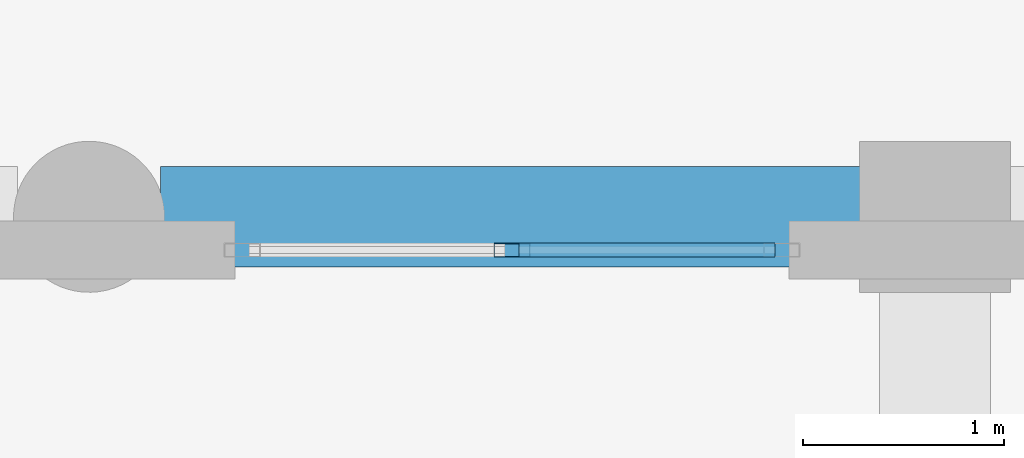
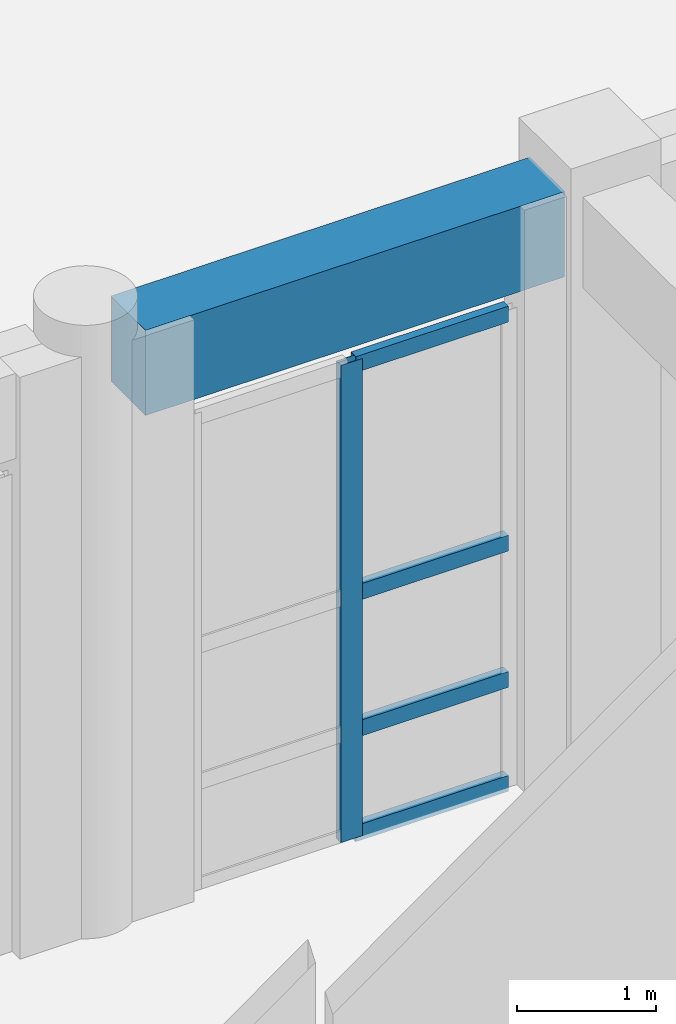
# One storey, part 17 of 148: 5 members, 1 beam, 1 element without a shape of its own.
"""IFC4 building model written with IfcOpenShell, lengths in metres."""

import ifcopenshell
import ifcopenshell.guid

model = None  # the IFC model being written
_history = None  # IfcOwnerHistory: only IFC2X3 demands one
_inside = {}  # id of a spatial element -> (the spatial element, [elements in it])
_under = {}  # id of a project, library or spatial element -> (it, [spatial elements below it])
_declared = {}  # id of a project -> (the project, [libraries it declares])
_typed = {}  # id of a type object -> (the type object, [elements of that type])
_made_of = {}  # id of a material, layer set ... -> (it, [elements and type objects made of it])


def new_model(schema):
    """Start an empty IFC model of exactly this schema.

    Asked for "IFC4X3", IfcOpenShell would pick the latest addendum, in which some entities
    have other attributes; the version numbers below select the first issue.
    IFC2X3 requires an IfcOwnerHistory on every rooted entity: one is made here for all.
    """
    global model, _history
    if schema == "IFC4X3":
        model = ifcopenshell.file(schema_version=(4, 3, 0, 0))
    else:
        model = ifcopenshell.file(schema=schema)
    _inside.clear()
    _under.clear()
    _declared.clear()
    _typed.clear()
    _made_of.clear()
    _history = None
    if model.schema == "IFC2X3":
        org = make("IfcOrganization", Name="unknown")
        user = make(
            "IfcPersonAndOrganization",
            ThePerson=make("IfcPerson", FamilyName="unknown"),
            TheOrganization=org,
        )
        app = make(
            "IfcApplication",
            ApplicationDeveloper=org,
            Version="unknown",
            ApplicationFullName="unknown",
            ApplicationIdentifier="unknown",
        )
        _history = make(
            "IfcOwnerHistory",
            OwningUser=user,
            OwningApplication=app,
            ChangeAction="ADDED",
            CreationDate=0,
        )
    return model


def make(cls, **values):
    """One entity of the class cls with the attributes given. An attribute that is None is left unset."""
    return model.create_entity(
        cls, **{name: value for name, value in values.items() if value is not None}
    )


def rooted(cls, **values):
    """An entity with a GlobalId (a new one), such as an element, a storey or a relation."""
    return make(cls, GlobalId=ifcopenshell.guid.new(), OwnerHistory=_history, **values)


def si_unit(unit_type, name, prefix=None):
    """IfcSIUnit, for example si_unit("LENGTHUNIT", "METRE", prefix="MILLI")."""
    return make("IfcSIUnit", UnitType=unit_type, Prefix=prefix, Name=name)


def assignment(units):
    """IfcUnitAssignment: the units of a project."""
    return None if units is None else make("IfcUnitAssignment", Units=units)


def point(xyz):
    """IfcCartesianPoint."""
    return None if xyz is None else make("IfcCartesianPoint", Coordinates=xyz)


def direction(xyz):
    """IfcDirection."""
    return None if xyz is None else make("IfcDirection", DirectionRatios=xyz)


def frame(location, z_axis=None, x_axis=None):
    """IfcAxis2Placement3D, a coordinate frame: its origin and axes. An axis left out is left unset."""
    return make(
        "IfcAxis2Placement3D",
        Location=point(location),
        Axis=direction(z_axis),
        RefDirection=direction(x_axis),
    )


def frame_2d(location, x_axis=None):
    """IfcAxis2Placement2D, a coordinate frame in the plane: its origin and x axis."""
    return make(
        "IfcAxis2Placement2D", Location=point(location), RefDirection=direction(x_axis)
    )


def origin():
    """The frame at (0, 0, 0) with its axes left unset."""
    return frame((0.0, 0.0, 0.0))


def origin_2d():
    """The frame at (0, 0) in the plane with its x axis left unset."""
    return frame_2d((0.0, 0.0))


def place(relative_to, where):
    """IfcLocalPlacement: puts the frame where relative to a parent placement (None: the world)."""
    return make(
        "IfcLocalPlacement", PlacementRelTo=relative_to, RelativePlacement=where
    )


def context(
    kind, dimensions, precision=None, world=None, true_north=None, identifier=None
):
    """IfcGeometricRepresentationContext, for example the 3D "Model" context."""
    return make(
        "IfcGeometricRepresentationContext",
        ContextIdentifier=identifier,
        ContextType=kind,
        CoordinateSpaceDimension=dimensions,
        Precision=precision,
        WorldCoordinateSystem=world,
        TrueNorth=true_north,
    )


def subcontext(parent, identifier, kind, view, scale=None):
    """IfcGeometricRepresentationSubContext, for example "Body" below "Model"."""
    return make(
        "IfcGeometricRepresentationSubContext",
        ContextIdentifier=identifier,
        ContextType=kind,
        ParentContext=parent,
        TargetScale=scale,
        TargetView=view,
    )


def project(units=None, contexts=None):
    """IfcProject with its units and contexts."""
    return rooted(
        "IfcProject",
        Name="project",
        RepresentationContexts=contexts,
        UnitsInContext=assignment(units),
    )


def spatial(cls, under=None, at=None, **own):
    """A site, building, storey or space (cls), placed at a placement, below another one or the project."""
    s = rooted(cls, ObjectPlacement=at, **own)
    if under is not None:
        _under.setdefault(under.id(), (under, []))[1].append(s)
    return s


def profile(cls, at=None, kind="AREA", **sizes):
    """A parametric profile (cls). Its sizes go by their IFC names, for example OverallWidth=200.0."""
    return make(cls, ProfileType=kind, Position=at, **sizes)


def rectangle(**sizes):
    """IfcRectangleProfileDef."""
    return profile("IfcRectangleProfileDef", **sizes)


def hollow_rectangle(**sizes):
    """IfcRectangleHollowProfileDef."""
    return profile("IfcRectangleHollowProfileDef", **sizes)


def extrude(swept, where, along, depth):
    """IfcExtrudedAreaSolid: the profile swept, set in the frame where, extruded along a direction by depth."""
    return make(
        "IfcExtrudedAreaSolid",
        SweptArea=swept,
        Position=where,
        ExtrudedDirection=direction(along),
        Depth=depth,
    )


def shape(context_of_items, identifier, shape_type, items):
    """IfcShapeRepresentation: the items that make up one representation, for example the "Body"."""
    return make(
        "IfcShapeRepresentation",
        ContextOfItems=context_of_items,
        RepresentationIdentifier=identifier,
        RepresentationType=shape_type,
        Items=items,
    )


def material(Name=None, Category=None):
    """IfcMaterial."""
    return make("IfcMaterial", Name=Name, Category=Category)


def layer(
    of_material, thickness, ventilated=None, Name=None, Category=None, Priority=None
):
    """IfcMaterialLayer: one layer of a wall or slab, of a material (None: an air gap)."""
    return make(
        "IfcMaterialLayer",
        Material=of_material,
        LayerThickness=thickness,
        IsVentilated=ventilated,
        Name=Name,
        Category=Category,
        Priority=Priority,
    )


def layer_set(layers, Name=None):
    """IfcMaterialLayerSet."""
    return make("IfcMaterialLayerSet", MaterialLayers=layers, LayerSetName=Name)


def material_profile(
    of_material, cross_section, Name=None, Category=None, Priority=None
):
    """IfcMaterialProfile: a cross section and its material."""
    return make(
        "IfcMaterialProfile",
        Name=Name,
        Material=of_material,
        Profile=cross_section,
        Priority=Priority,
        Category=Category,
    )


def profile_set(profiles, Name=None, composite=None):
    """IfcMaterialProfileSet."""
    return make(
        "IfcMaterialProfileSet",
        Name=Name,
        MaterialProfiles=profiles,
        CompositeProfile=composite,
    )


def made_of(thing, what):
    """Note that an element or type object is made of a material, layer set ...; save() writes the relation."""
    if what is not None:
        _made_of.setdefault(what.id(), (what, []))[1].append(thing)
    return thing


def type_object(cls, material=None, **own):
    """A type object (cls), such as IfcWallType, which elements share."""
    return made_of(rooted(cls, **own), material)


def element(
    cls,
    number,
    at=None,
    inside=None,
    cuts=None,
    type_object=None,
    material=None,
    context=None,
    identifier="Body",
    shape_type=None,
    held_by="IfcProductDefinitionShape",
    body=None,
    shapes=None,
    **own,
):
    """One element of the class cls, such as IfcWall. Its Tag is "e" and its number.

    at: its placement. inside: the storey or other place that contains it. cuts: it is an
    opening in that element (IfcRelVoidsElement). A single representation is given by context,
    identifier, shape_type and body (its items); several are given by shapes. held_by: the class
    of the entity that holds the representations. save() writes the other relations.
    """
    e = rooted(cls, Tag="e%d" % number, ObjectPlacement=at, **own)
    if body is not None:
        shapes = [shape(context, identifier, shape_type, body)]
    if shapes is not None:
        e.Representation = make(held_by, Representations=shapes)
    if inside is not None:
        _inside.setdefault(inside.id(), (inside, []))[1].append(e)
    if cuts is not None:
        rooted(
            "IfcRelVoidsElement", RelatingBuildingElement=cuts, RelatedOpeningElement=e
        )
    if type_object is not None:
        _typed.setdefault(type_object.id(), (type_object, []))[1].append(e)
    return made_of(e, material)


def aggregate(whole, parts):
    """IfcRelAggregates: a whole, such as a stair, and the parts it consists of."""
    return rooted("IfcRelAggregates", RelatingObject=whole, RelatedObjects=parts)


def save(model, path):
    """Write the relations noted so far, then the file.

    IfcRelAggregates (storeys below a building ...), IfcRelContainedInSpatialStructure (elements
    in a storey), IfcRelDefinesByType, IfcRelAssociatesMaterial and IfcRelDeclares: one each for
    every whole, place, type object, material and project.
    """
    for whole, parts in _under.values():
        aggregate(whole, parts)
    for where, things in _inside.values():
        rooted(
            "IfcRelContainedInSpatialStructure",
            RelatedElements=things,
            RelatingStructure=where,
        )
    for kind, things in _typed.values():
        rooted("IfcRelDefinesByType", RelatedObjects=things, RelatingType=kind)
    for what, things in _made_of.values():
        rooted("IfcRelAssociatesMaterial", RelatedObjects=things, RelatingMaterial=what)
    for by, libraries in _declared.values():
        rooted("IfcRelDeclares", RelatingContext=by, RelatedDefinitions=libraries)
    model.write(path)


model = new_model("IFC4")

# Units and contexts
model_context = context("Model", 3, precision=1e-05, world=origin(), true_north=direction((0.0, 1.0)))
body_context = subcontext(model_context, "Body", "Model", "MODEL_VIEW")
ifc_project = project(units=[si_unit("LENGTHUNIT", "METRE"), si_unit("AREAUNIT", "SQUARE_METRE"), si_unit("VOLUMEUNIT", "CUBIC_METRE"), si_unit("PLANEANGLEUNIT", "RADIAN"), si_unit("MASSUNIT", "GRAM", prefix="KILO")], contexts=[model_context])

# Site, building, storey
site_placement = place(None, origin())
site = spatial("IfcSite", under=ifc_project, at=site_placement, CompositionType="ELEMENT")
building_placement = place(site_placement, origin())
building = spatial("IfcBuilding", under=site, at=building_placement, Name="Quendrovan Civic Courthouse", CompositionType="ELEMENT")
storey_placement = place(building_placement, origin())
storey = spatial("IfcBuildingStorey", under=building, at=storey_placement, Name="L01", CompositionType="ELEMENT", Elevation=0.0)

# Beam
ifc_material_1 = material(Name="Concrete C40/50", Category="concrete")
ifc_material_profile_1 = material_profile(ifc_material_1, rectangle(XDim=0.5, YDim=0.75, at=origin_2d()), Name="RC-BM-500x750")
ifc_profile_set_1 = profile_set([ifc_material_profile_1], Name="Concrete C40/50")
beam_type = type_object("IfcBeamType", Name="BM-RC750", PredefinedType="SPANDREL", material=ifc_profile_set_1)
beam_placement = place(storey_placement, frame((29.7548828125, 15.60009765625, 4.7451171875), z_axis=(1.0, 0.0, 0.0), x_axis=(0.0, 1.0, 0.0)))
element("IfcBeam", 1, at=beam_placement, inside=storey, type_object=beam_type, Name="L01 Girder X0268", PredefinedType="SPANDREL", context=body_context, shape_type="SweptSolid", body=[
    extrude(rectangle(XDim=0.5, YDim=0.75, at=origin_2d()), origin(), (0.0, 0.0, 1.0), 3.490234375),
])

# Curtain wall, members
ifc_material_2 = material(Name="Bronze anodised aluminium and low-E glass", Category="aluminium")
ifc_layer = layer(ifc_material_2, 0.179931640625, Name="Bronze anodised aluminium and low-E glass")
ifc_layer_set = layer_set([ifc_layer], Name="Bronze anodised aluminium and low-E glass")
curtain_wall_type = type_object("IfcCurtainWallType", Name="CW-U28x42", PredefinedType="USERDEFINED", material=ifc_layer_set)
curtain_wall_placement = place(storey_placement, origin())
curtain_wall = element("IfcCurtainWall", 2, at=curtain_wall_placement, inside=storey, type_object=curtain_wall_type, Name="L01 Unitised Hurricane Curtain Wall CW-006", ObjectType="UNITISED CURTAIN WALL", PredefinedType="USERDEFINED")
ifc_material_3 = material(Name="Bronze anodised aluminium", Category="aluminium")
ifc_material_profile_2 = material_profile(ifc_material_3, hollow_rectangle(XDim=0.070068359375, YDim=0.179931640625, WallThickness=0.00390625, at=origin_2d()), Name="CW-MULL-70x180")
ifc_profile_set_2 = profile_set([ifc_material_profile_2], Name="Bronze anodised aluminium")
member_type_1 = type_object("IfcMemberType", Name="CW-MULL-A", PredefinedType="MULLION", material=ifc_profile_set_2)
member_1_placement = place(storey_placement, frame((31.5, 15.43505859375, 0.0), z_axis=(0.0, 0.0, 1.0), x_axis=(0.0, 1.0, 0.0)))
member_1 = element("IfcMember", 3, at=member_1_placement, type_object=member_type_1, Name="CW-006 mullion 2", PredefinedType="MULLION", context=body_context, shape_type="SweptSolid", body=[
    extrude(hollow_rectangle(XDim=0.070068359375, YDim=0.179931640625, WallThickness=0.00390625, at=origin_2d()), origin(), (0.0, 0.0, 1.0), 4.199951171875),
])
ifc_material_profile_3 = material_profile(ifc_material_3, hollow_rectangle(XDim=0.070068359375, YDim=0.139892578125, WallThickness=0.00390625, at=origin_2d()), Name="CW-TRAN-70x140")
ifc_profile_set_3 = profile_set([ifc_material_profile_3], Name="Bronze anodised aluminium")
member_type_2 = type_object("IfcMemberType", Name="CW-TRAN-A", PredefinedType="USERDEFINED", material=ifc_profile_set_3)
member_2_placement = place(storey_placement, frame((31.534912109375, 15.43505859375, 0.034912109375), z_axis=(1.0, 0.0, 0.0), x_axis=(0.0, 1.0, 0.0)))
member_2 = element("IfcMember", 4, at=member_2_placement, type_object=member_type_2, Name="CW-006 transom 2.1", ObjectType="TRANSOM", PredefinedType="USERDEFINED", context=body_context, shape_type="SweptSolid", body=[
    extrude(hollow_rectangle(XDim=0.070068359375, YDim=0.139892578125, WallThickness=0.00390625, at=origin_2d()), origin(), (0.0, 0.0, 1.0), 1.27001953125),
])
member_3_placement = place(storey_placement, frame((31.534912109375, 15.43505859375, 0.949951171875), z_axis=(1.0, 0.0, 0.0), x_axis=(0.0, 1.0, 0.0)))
member_3 = element("IfcMember", 5, at=member_3_placement, type_object=member_type_2, Name="CW-006 transom 2.2", ObjectType="TRANSOM", PredefinedType="USERDEFINED", context=body_context, shape_type="SweptSolid", body=[
    extrude(hollow_rectangle(XDim=0.070068359375, YDim=0.139892578125, WallThickness=0.00390625, at=origin_2d()), origin(), (0.0, 0.0, 1.0), 1.27001953125),
])
member_4_placement = place(storey_placement, frame((31.534912109375, 15.43505859375, 2.14990234375), z_axis=(1.0, 0.0, 0.0), x_axis=(0.0, 1.0, 0.0)))
member_4 = element("IfcMember", 6, at=member_4_placement, type_object=member_type_2, Name="CW-006 transom 2.3", ObjectType="TRANSOM", PredefinedType="USERDEFINED", context=body_context, shape_type="SweptSolid", body=[
    extrude(hollow_rectangle(XDim=0.070068359375, YDim=0.139892578125, WallThickness=0.00390625, at=origin_2d()), origin(), (0.0, 0.0, 1.0), 1.27001953125),
])
member_5_placement = place(storey_placement, frame((31.534912109375, 15.43505859375, 4.1650390625), z_axis=(1.0, 0.0, 0.0), x_axis=(0.0, 1.0, 0.0)))
member_5 = element("IfcMember", 7, at=member_5_placement, type_object=member_type_2, Name="CW-006 transom 2.4", ObjectType="TRANSOM", PredefinedType="USERDEFINED", context=body_context, shape_type="SweptSolid", body=[
    extrude(hollow_rectangle(XDim=0.070068359375, YDim=0.139892578125, WallThickness=0.00390625, at=origin_2d()), origin(), (0.0, 0.0, 1.0), 1.27001953125),
])
aggregate(curtain_wall, [member_1, member_2, member_3, member_4, member_5])

save(model, "model.ifc")
